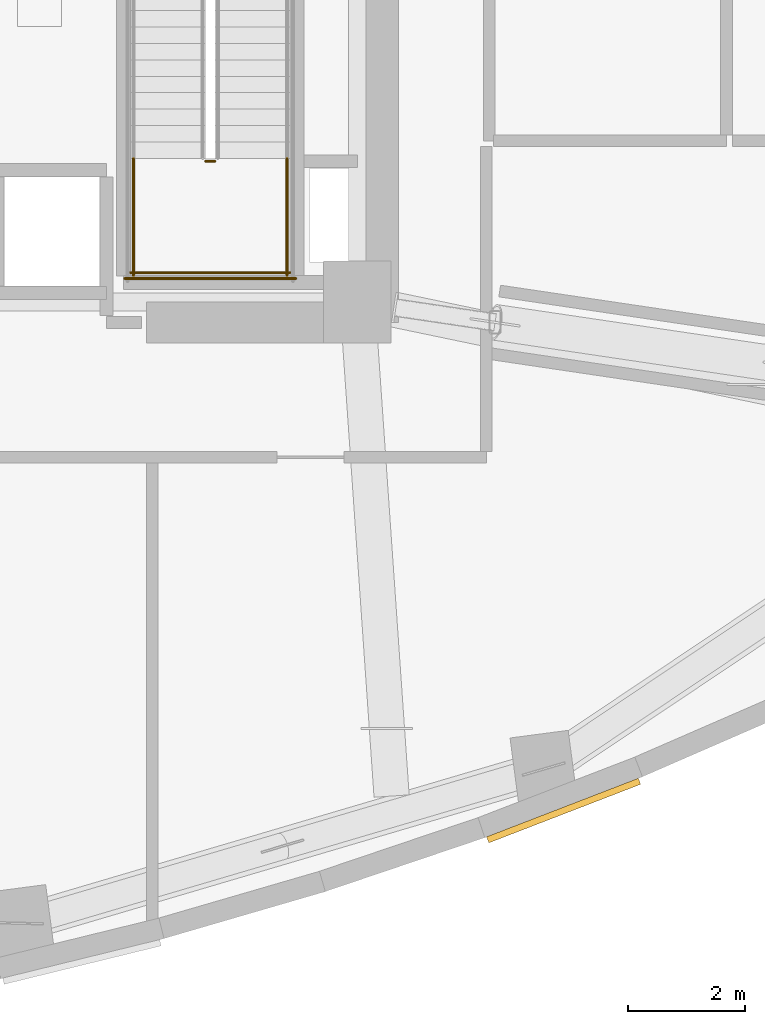
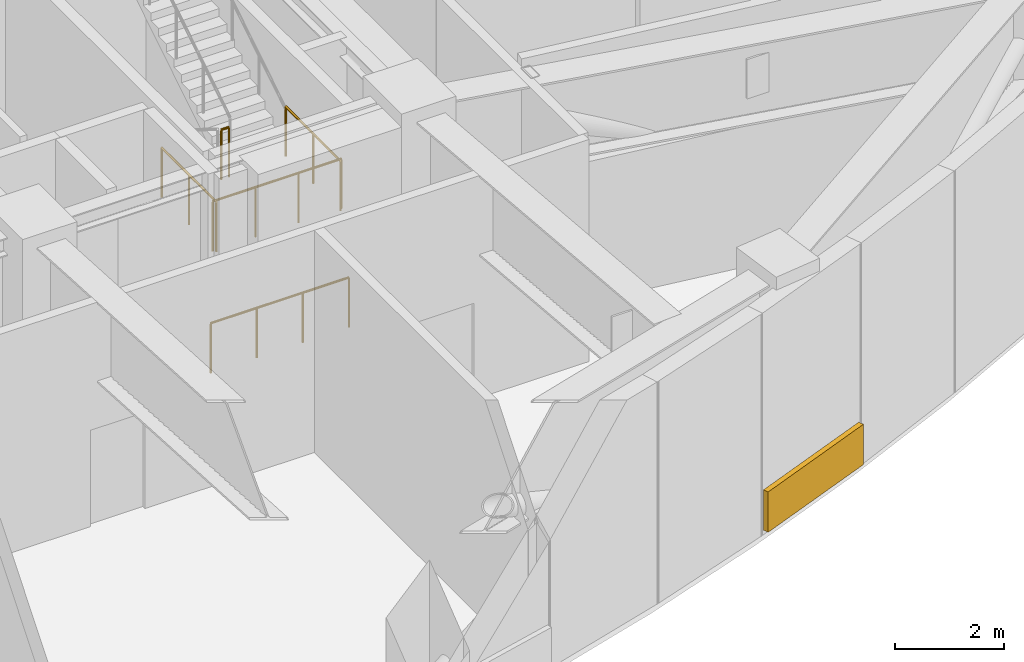
# One storey, part 11 of 13: 5 railings, 1 covering.
"""IFC4 building model written with IfcOpenShell, lengths in metres."""

from ifc_helpers import new_model, si_unit, direction, frame, origin, origin_2d, place, context, subcontext, project, spatial, rectangle, circle, extrude, material, layer, layer_set, type_object, element, save


model = new_model("IFC4")

# Units and contexts
model_context = context("Model", 3, precision=1e-05, world=origin(), true_north=direction((0.0, 1.0)))
body_context = subcontext(model_context, "Body", "Model", "MODEL_VIEW")
ifc_project = project(units=[si_unit("LENGTHUNIT", "METRE"), si_unit("AREAUNIT", "SQUARE_METRE"), si_unit("VOLUMEUNIT", "CUBIC_METRE"), si_unit("PLANEANGLEUNIT", "RADIAN"), si_unit("MASSUNIT", "GRAM", prefix="KILO")], contexts=[model_context])

# Site, building, storey
site_placement = place(None, origin())
site = spatial("IfcSite", under=ifc_project, at=site_placement, CompositionType="ELEMENT")
building_placement = place(site_placement, origin())
building = spatial("IfcBuilding", under=site, at=building_placement, Name="Ndelora Gate Hotel", CompositionType="ELEMENT")
storey_placement = place(building_placement, frame((0.0, 0.0, 83.0)))
storey = spatial("IfcBuildingStorey", under=building, at=storey_placement, Name="L20", CompositionType="ELEMENT", Elevation=83.0)

# Covering
ifc_material_1 = material(Name="Terracotta Fired Clay Brick Slip Cladding", Category="masonry")
ifc_layer_1 = layer(ifc_material_1, 0.110107421875)
ifc_layer_set_1 = layer_set([ifc_layer_1], Name="Terracotta Fired Clay Brick Slip Cladding")
covering_type = type_object("IfcCoveringType", Name="COV-CLAD-BRK", PredefinedType="CLADDING", material=ifc_layer_set_1)
covering_placement = place(storey_placement, frame((11.519287109375, -15.278076171875, 0.10009765625), z_axis=(0.0, 0.0, 1.0), x_axis=(0.932953534825, 0.35999680812, 0.0)))
element("IfcCovering", 1, at=covering_placement, inside=storey, type_object=covering_type, Name="L20 Rounded-Corner Brick Cladding Band 37", PredefinedType="CLADDING", context=body_context, shape_type="SweptSolid", body=[
    extrude(rectangle(XDim=2.77490234375, YDim=0.110107421875, at=origin_2d()), origin(), (0.0, 0.0, 1.0), 0.89990234375),
])

# Railings
ifc_material_2 = material(Name="Painted Galvanized Steel Balustrade", Category="steel")
ifc_layer_2 = layer(ifc_material_2, 0.06005859375)
ifc_layer_set_2 = layer_set([ifc_layer_2], Name="Painted Galvanized Steel Balustrade")
railing_type = type_object("IfcRailingType", Name="RL-STAIR-GD", PredefinedType="GUARDRAIL", material=ifc_layer_set_2)
railing_1_placement = place(storey_placement, frame((5.409912109375, -4.199951171875, 2.625)))
element("IfcRailing", 2, at=railing_1_placement, inside=storey, type_object=railing_type, Name="L20 ST5 stair guard 2", PredefinedType="GUARDRAIL", context=body_context, shape_type="SweptSolid", body=[
    extrude(circle(Radius=0.02392578125, at=origin_2d()), frame((0.0, 0.0, 1.10595703125), z_axis=(1.0, 0.0, 0.0), x_axis=(0.0, 1.0, 0.0)), (0.0, 0.0, 1.0), 0.16015625),
    extrude(circle(Radius=0.02099609375, at=origin_2d()), origin(), (0.0, 0.0, 1.0), 1.081787109375),
    extrude(circle(Radius=0.02099609375, at=origin_2d()), frame((0.16015625, 0.0, 0.0)), (0.0, 0.0, 1.0), 1.081787109375),
])
for number, where, name in (
    (3, (4.179931640625, -4.14990234375, 2.625), "L20 ST5 stair guard 3"),
    (4, (6.800048828125, -4.14990234375, 2.625), "L20 ST5 stair guard 4"),
):
    element("IfcRailing", number, at=place(storey_placement, frame(where)), inside=storey, type_object=railing_type, Name=name, PredefinedType="GUARDRAIL", context=body_context, shape_type="SweptSolid", body=[
        extrude(circle(Radius=0.02392578125, at=origin_2d()), frame((0.0, 0.0, 1.10595703125), z_axis=(0.0, -1.0, 0.0), x_axis=(1.0, 0.0, 0.0)), (0.0, 0.0, 1.0), 2.0),
        extrude(circle(Radius=0.02099609375, at=origin_2d()), origin(), (0.0, 0.0, 1.0), 1.081787109375),
        extrude(circle(Radius=0.02099609375, at=origin_2d()), frame((0.0, -1.0, 0.0)), (0.0, 0.0, 1.0), 1.081787109375),
        extrude(circle(Radius=0.02099609375, at=origin_2d()), frame((0.0, -2.0, 0.0)), (0.0, 0.0, 1.0), 1.081787109375),
    ])
railing_2_placement = place(storey_placement, frame((4.1298828125, -6.10009765625, 2.625)))
element("IfcRailing", 5, at=railing_2_placement, inside=storey, type_object=railing_type, Name="L20 ST5 stair guard 5", PredefinedType="GUARDRAIL", context=body_context, shape_type="SweptSolid", body=[
    extrude(circle(Radius=0.02392578125, at=origin_2d()), frame((0.0, 0.0, 1.10595703125), z_axis=(1.0, 0.0, 0.0), x_axis=(0.0, 1.0, 0.0)), (0.0, 0.0, 1.0), 2.72021484375),
    extrude(circle(Radius=0.02099609375, at=origin_2d()), origin(), (0.0, 0.0, 1.0), 1.081787109375),
    extrude(circle(Radius=0.02099609375, at=origin_2d()), frame((0.90673828125, 0.0, 0.0)), (0.0, 0.0, 1.0), 1.081787109375),
    extrude(circle(Radius=0.02099609375, at=origin_2d()), frame((1.8134765625, 0.0, 0.0)), (0.0, 0.0, 1.0), 1.081787109375),
    extrude(circle(Radius=0.02099609375, at=origin_2d()), frame((2.72021484375, 0.0, 0.0)), (0.0, 0.0, 1.0), 1.081787109375),
])
railing_3_placement = place(storey_placement, frame((4.030029296875, -6.199951171875, 0.0)))
element("IfcRailing", 6, at=railing_3_placement, inside=storey, type_object=railing_type, Name="L20 ST5 stair guard 12", PredefinedType="GUARDRAIL", context=body_context, shape_type="SweptSolid", body=[
    extrude(circle(Radius=0.02392578125, at=origin_2d()), frame((0.0, 0.0, 1.10595703125), z_axis=(1.0, 0.0, 0.0), x_axis=(0.0, 1.0, 0.0)), (0.0, 0.0, 1.0), 2.919921875),
    extrude(circle(Radius=0.02099609375, at=origin_2d()), origin(), (0.0, 0.0, 1.0), 1.081787109375),
    extrude(circle(Radius=0.02099609375, at=origin_2d()), frame((0.973388671875, 0.0, 0.0)), (0.0, 0.0, 1.0), 1.081787109375),
    extrude(circle(Radius=0.02099609375, at=origin_2d()), frame((1.946533203125, 0.0, 0.0)), (0.0, 0.0, 1.0), 1.081787109375),
    extrude(circle(Radius=0.02099609375, at=origin_2d()), frame((2.919921875, 0.0, 0.0)), (0.0, 0.0, 1.0), 1.081787109375),
])

save(model, "model.ifc")
